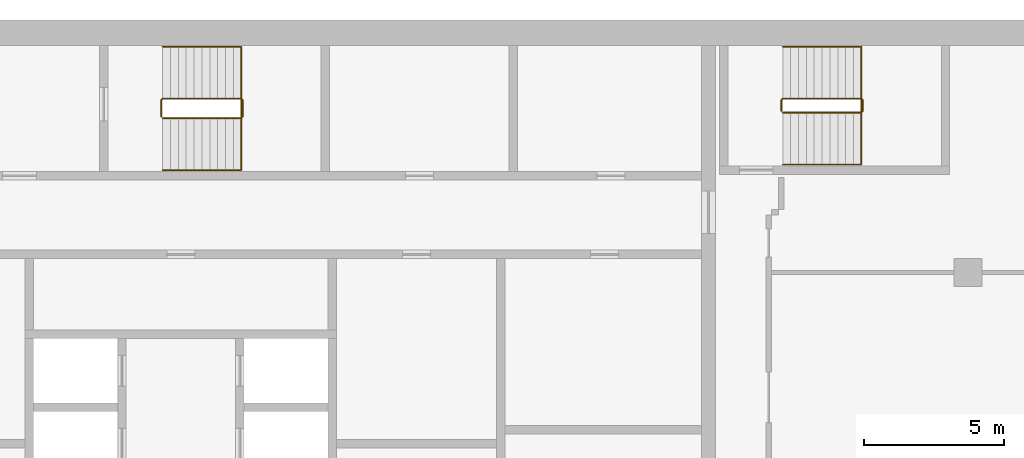
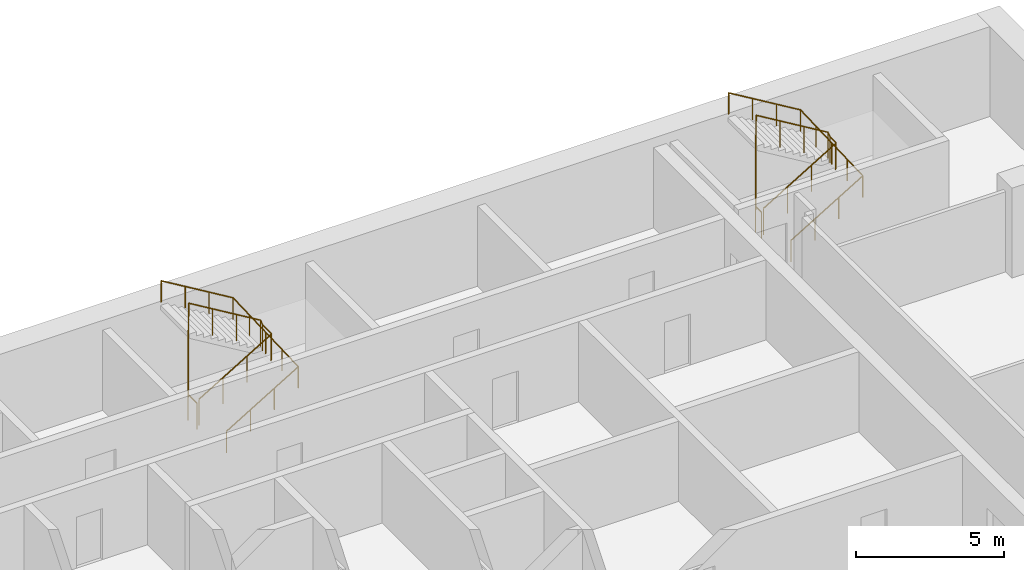
# One storey, part 16 of 16: 4 railings.
"""IFC4 building model written with IfcOpenShell, lengths in metres."""

from ifc_helpers import new_model, si_unit, direction, frame, origin, origin_2d, place, context, subcontext, project, spatial, circle, extrude, material, type_object, element, save


model = new_model("IFC4")

# Units and contexts
model_context = context("Model", 3, precision=1e-05, world=origin(), true_north=direction((0.0, 1.0)))
body_context = subcontext(model_context, "Body", "Model", "MODEL_VIEW")
ifc_project = project(units=[si_unit("LENGTHUNIT", "METRE"), si_unit("AREAUNIT", "SQUARE_METRE"), si_unit("VOLUMEUNIT", "CUBIC_METRE"), si_unit("PLANEANGLEUNIT", "RADIAN"), si_unit("MASSUNIT", "GRAM", prefix="KILO")], contexts=[model_context])

# Site, building, storey
site_placement = place(None, origin())
site = spatial("IfcSite", under=ifc_project, at=site_placement, CompositionType="ELEMENT")
building_placement = place(site_placement, origin())
building = spatial("IfcBuilding", under=site, at=building_placement, Name="Hunhe Ridgeline Campus", CompositionType="ELEMENT")
storey_placement = place(building_placement, frame((0.0, 0.0, 239.199951171875)))
storey = spatial("IfcBuildingStorey", under=building, at=storey_placement, Name="L61", CompositionType="ELEMENT", Elevation=239.199951171875)

# Railings
ifc_material_1 = material(Name="Stainless steel balustrade", Category="steel")
railing_type_1 = type_object("IfcRailingType", Name="Stair guard 1100 stainless", PredefinedType="GUARDRAIL", material=ifc_material_1)
railing_1_placement = place(storey_placement, frame((16.300048828125, 95.5, 0.168212890625)))
element("IfcRailing", 1, at=railing_1_placement, inside=storey, type_object=railing_type_1, Name="L61 stair S1 guard", PredefinedType="GUARDRAIL", context=body_context, shape_type="SweptSolid", body=[
    extrude(circle(Radius=0.02392578125, at=origin_2d()), frame((0.0, 0.0, 1.076171875), z_axis=(0.857242210791, 0.0, 0.514913383045), x_axis=(0.0, 1.0, 0.0)), (0.0, 0.0, 1.0), 3.266357421875),
    extrude(circle(Radius=0.02392578125, at=origin_2d()), frame((2.800048828125, 0.0, 2.7578125), z_axis=(0.705375805398, 0.708833529934, 0.0), x_axis=(-0.708833529934, 0.705375805398, 0.0)), (0.0, 0.0, 1.0), 0.070556640625),
    extrude(circle(Radius=0.02392578125, at=origin_2d()), frame((2.849853515625, 0.050048828125, 2.7578125), z_axis=(0.0, 1.0, 0.0), x_axis=(-1.0, 0.0, 0.0)), (0.0, 0.0, 1.0), 0.599853515625),
    extrude(circle(Radius=0.02392578125, at=origin_2d()), frame((2.849853515625, 0.64990234375, 2.7578125), z_axis=(-0.273006030465, 0.27434429532, 0.922064485248), x_axis=(-0.708833529934, -0.705375805398, 0.0)), (0.0, 0.0, 1.0), 0.182373046875),
    extrude(circle(Radius=0.02392578125, at=origin_2d()), frame((2.800048828125, 0.699951171875, 2.92626953125), z_axis=(-0.857275202839, 0.0, 0.514858452973), x_axis=(0.0, -1.0, 0.0)), (0.0, 0.0, 1.0), 3.26611328125),
    extrude(circle(Radius=0.02392578125, at=origin_2d()), frame((0.0, 0.699951171875, 4.60791015625), z_axis=(-0.013524414389, -0.013524414389, -0.999817073484), x_axis=(0.707106781187, -0.707106781187, 0.0)), (0.0, 0.0, 1.0), 3.70068359375),
    extrude(circle(Radius=0.02392578125, at=origin_2d()), frame((-0.050048828125, 0.64990234375, 0.90771484375), z_axis=(0.0, -1.0, 0.0), x_axis=(1.0, 0.0, 0.0)), (0.0, 0.0, 1.0), 0.599853515625),
    extrude(circle(Radius=0.02099609375, at=origin_2d()), origin(), (0.0, 0.0, 1.0), 1.052001953125),
    extrude(circle(Radius=0.02099609375, at=origin_2d()), frame((0.933349609375, 0.0, 0.560546875)), (0.0, 0.0, 1.0), 1.052001953125),
    extrude(circle(Radius=0.02099609375, at=origin_2d()), frame((1.86669921875, 0.0, 1.121337890625)), (0.0, 0.0, 1.0), 1.052001953125),
    extrude(circle(Radius=0.02099609375, at=origin_2d()), frame((2.800048828125, 0.0, 1.681884765625)), (0.0, 0.0, 1.0), 1.052001953125),
    extrude(circle(Radius=0.02099609375, at=origin_2d()), frame((2.849853515625, 0.050048828125, 1.681884765625)), (0.0, 0.0, 1.0), 1.052001953125),
    extrude(circle(Radius=0.02099609375, at=origin_2d()), frame((2.849853515625, 0.64990234375, 1.681884765625)), (0.0, 0.0, 1.0), 1.052001953125),
    extrude(circle(Radius=0.02099609375, at=origin_2d()), frame((2.800048828125, 0.699951171875, 1.85009765625)), (0.0, 0.0, 1.0), 1.052001953125),
    extrude(circle(Radius=0.02099609375, at=origin_2d()), frame((1.86669921875, 0.699951171875, 2.41064453125)), (0.0, 0.0, 1.0), 1.052001953125),
    extrude(circle(Radius=0.02099609375, at=origin_2d()), frame((0.933349609375, 0.699951171875, 2.97119140625)), (0.0, 0.0, 1.0), 1.052001953125),
    extrude(circle(Radius=0.02099609375, at=origin_2d()), frame((0.0, 0.699951171875, 3.53173828125)), (0.0, 0.0, 1.0), 1.052001953125),
    extrude(circle(Radius=0.02099609375, at=origin_2d()), frame((-0.012451171875, 0.6875, 2.606689453125)), (0.0, 0.0, 1.0), 1.052001953125),
    extrude(circle(Radius=0.02099609375, at=origin_2d()), frame((-0.02490234375, 0.6748046875, 1.681640625)), (0.0, 0.0, 1.0), 1.052001953125),
    extrude(circle(Radius=0.02099609375, at=origin_2d()), frame((-0.03759765625, 0.662353515625, 0.7568359375)), (0.0, 0.0, 1.0), 1.052001953125),
    extrude(circle(Radius=0.02099609375, at=origin_2d()), frame((-0.050048828125, 0.64990234375, -0.168212890625)), (0.0, 0.0, 1.0), 1.052001953125),
    extrude(circle(Radius=0.02099609375, at=origin_2d()), frame((-0.050048828125, 0.050048828125, -0.168212890625)), (0.0, 0.0, 1.0), 1.052001953125),
])
railing_2_placement = place(storey_placement, frame((38.39990234375, 95.699951171875, 0.168212890625)))
element("IfcRailing", 2, at=railing_2_placement, inside=storey, type_object=railing_type_1, Name="L61 stair E1 guard", PredefinedType="GUARDRAIL", context=body_context, shape_type="SweptSolid", body=[
    extrude(circle(Radius=0.02392578125, at=origin_2d()), frame((0.0, 0.0, 1.076171875), z_axis=(0.857242210791, 0.0, 0.514913383045), x_axis=(0.0, 1.0, 0.0)), (0.0, 0.0, 1.0), 3.266357421875),
    extrude(circle(Radius=0.02392578125, at=origin_2d()), frame((2.800048828125, 0.0, 2.7578125), z_axis=(0.707106781187, 0.707106781187, 0.0), x_axis=(-0.707106781187, 0.707106781187, 0.0)), (0.0, 0.0, 1.0), 0.07080078125),
    extrude(circle(Radius=0.02392578125, at=origin_2d()), frame((2.85009765625, 0.050048828125, 2.7578125), z_axis=(0.0, 1.0, 0.0), x_axis=(-1.0, 0.0, 0.0)), (0.0, 0.0, 1.0), 0.39990234375),
    extrude(circle(Radius=0.02392578125, at=origin_2d()), frame((2.85009765625, 0.449951171875, 2.7578125), z_axis=(-0.274243871929, 0.274243871929, 0.92172696468), x_axis=(-0.707106781187, -0.707106781187, 0.0)), (0.0, 0.0, 1.0), 0.1826171875),
    extrude(circle(Radius=0.02392578125, at=origin_2d()), frame((2.800048828125, 0.5, 2.92626953125), z_axis=(-0.857275202839, 0.0, 0.514858452973), x_axis=(0.0, -1.0, 0.0)), (0.0, 0.0, 1.0), 3.26611328125),
    extrude(circle(Radius=0.02392578125, at=origin_2d()), frame((0.0, 0.5, 4.60791015625), z_axis=(-0.013458453615, -0.013524426427, -0.999817963389), x_axis=(0.708833529934, -0.705375805398, 0.0)), (0.0, 0.0, 1.0), 3.70068359375),
    extrude(circle(Radius=0.02392578125, at=origin_2d()), frame((-0.0498046875, 0.449951171875, 0.90771484375), z_axis=(0.0, -1.0, 0.0), x_axis=(1.0, 0.0, 0.0)), (0.0, 0.0, 1.0), 0.39990234375),
    extrude(circle(Radius=0.02099609375, at=origin_2d()), origin(), (0.0, 0.0, 1.0), 1.052001953125),
    extrude(circle(Radius=0.02099609375, at=origin_2d()), frame((0.933349609375, 0.0, 0.560546875)), (0.0, 0.0, 1.0), 1.052001953125),
    extrude(circle(Radius=0.02099609375, at=origin_2d()), frame((1.86669921875, 0.0, 1.121337890625)), (0.0, 0.0, 1.0), 1.052001953125),
    extrude(circle(Radius=0.02099609375, at=origin_2d()), frame((2.800048828125, 0.0, 1.681884765625)), (0.0, 0.0, 1.0), 1.052001953125),
    extrude(circle(Radius=0.02099609375, at=origin_2d()), frame((2.85009765625, 0.050048828125, 1.681884765625)), (0.0, 0.0, 1.0), 1.052001953125),
    extrude(circle(Radius=0.02099609375, at=origin_2d()), frame((2.85009765625, 0.449951171875, 1.681884765625)), (0.0, 0.0, 1.0), 1.052001953125),
    extrude(circle(Radius=0.02099609375, at=origin_2d()), frame((2.800048828125, 0.5, 1.85009765625)), (0.0, 0.0, 1.0), 1.052001953125),
    extrude(circle(Radius=0.02099609375, at=origin_2d()), frame((1.86669921875, 0.5, 2.41064453125)), (0.0, 0.0, 1.0), 1.052001953125),
    extrude(circle(Radius=0.02099609375, at=origin_2d()), frame((0.933349609375, 0.5, 2.97119140625)), (0.0, 0.0, 1.0), 1.052001953125),
    extrude(circle(Radius=0.02099609375, at=origin_2d()), frame((0.0, 0.5, 3.53173828125)), (0.0, 0.0, 1.0), 1.052001953125),
    extrude(circle(Radius=0.02099609375, at=origin_2d()), frame((-0.012451171875, 0.487548828125, 2.606689453125)), (0.0, 0.0, 1.0), 1.052001953125),
    extrude(circle(Radius=0.02099609375, at=origin_2d()), frame((-0.02490234375, 0.47509765625, 1.681640625)), (0.0, 0.0, 1.0), 1.052001953125),
    extrude(circle(Radius=0.02099609375, at=origin_2d()), frame((-0.037353515625, 0.46240234375, 0.7568359375)), (0.0, 0.0, 1.0), 1.052001953125),
    extrude(circle(Radius=0.02099609375, at=origin_2d()), frame((-0.0498046875, 0.449951171875, -0.168212890625)), (0.0, 0.0, 1.0), 1.052001953125),
    extrude(circle(Radius=0.02099609375, at=origin_2d()), frame((-0.0498046875, 0.050048828125, -0.168212890625)), (0.0, 0.0, 1.0), 1.052001953125),
])
ifc_material_2 = material(Name="Stainless steel handrail", Category="steel")
railing_type_2 = type_object("IfcRailingType", Name="Stair handrail 900 stainless", PredefinedType="HANDRAIL", material=ifc_material_2)
railing_3_placement = place(storey_placement, frame((16.300048828125, 93.64990234375, 0.168212890625)))
element("IfcRailing", 3, at=railing_3_placement, inside=storey, type_object=railing_type_2, Name="L61 stair S1 handrail", PredefinedType="HANDRAIL", context=body_context, shape_type="SweptSolid", body=[
    extrude(circle(Radius=0.02392578125, at=origin_2d()), frame((0.0, 0.0, 0.8759765625), z_axis=(0.857242210791, 0.0, 0.514913383045), x_axis=(0.0, 1.0, 0.0)), (0.0, 0.0, 1.0), 3.266357421875),
    extrude(circle(Radius=0.02392578125, at=origin_2d()), frame((2.800048828125, 0.0, 2.5576171875), z_axis=(0.0, 0.999270074432, 0.038201025428), x_axis=(-1.0, 0.0, 0.0)), (0.0, 0.0, 1.0), 4.4033203125),
    extrude(circle(Radius=0.02392578125, at=origin_2d()), frame((2.800048828125, 4.400146484375, 2.72607421875), z_axis=(-0.857275202839, 0.0, 0.514858452973), x_axis=(0.0, -1.0, 0.0)), (0.0, 0.0, 1.0), 3.26611328125),
    extrude(circle(Radius=0.02099609375, at=origin_2d()), origin(), (0.0, 0.0, 1.0), 0.851806640625),
    extrude(circle(Radius=0.02099609375, at=origin_2d()), frame((0.933349609375, 0.0, 0.560546875)), (0.0, 0.0, 1.0), 0.851806640625),
    extrude(circle(Radius=0.02099609375, at=origin_2d()), frame((1.86669921875, 0.0, 1.121337890625)), (0.0, 0.0, 1.0), 0.851806640625),
    extrude(circle(Radius=0.02099609375, at=origin_2d()), frame((2.800048828125, 0.0, 1.681884765625)), (0.0, 0.0, 1.0), 0.851806640625),
    extrude(circle(Radius=0.02099609375, at=origin_2d()), frame((2.800048828125, 1.10009765625, 1.723876953125)), (0.0, 0.0, 1.0), 0.851806640625),
    extrude(circle(Radius=0.02099609375, at=origin_2d()), frame((2.800048828125, 2.2001953125, 1.76611328125)), (0.0, 0.0, 1.0), 0.851806640625),
    extrude(circle(Radius=0.02099609375, at=origin_2d()), frame((2.800048828125, 3.300048828125, 1.80810546875)), (0.0, 0.0, 1.0), 0.851806640625),
    extrude(circle(Radius=0.02099609375, at=origin_2d()), frame((2.800048828125, 4.400146484375, 1.85009765625)), (0.0, 0.0, 1.0), 0.851806640625),
    extrude(circle(Radius=0.02099609375, at=origin_2d()), frame((1.86669921875, 4.400146484375, 2.41064453125)), (0.0, 0.0, 1.0), 0.851806640625),
    extrude(circle(Radius=0.02099609375, at=origin_2d()), frame((0.933349609375, 4.400146484375, 2.97119140625)), (0.0, 0.0, 1.0), 0.851806640625),
    extrude(circle(Radius=0.02099609375, at=origin_2d()), frame((0.0, 4.400146484375, 3.53173828125)), (0.0, 0.0, 1.0), 0.851806640625),
])
railing_4_placement = place(storey_placement, frame((38.39990234375, 93.85009765625, 0.168212890625)))
element("IfcRailing", 4, at=railing_4_placement, inside=storey, type_object=railing_type_2, Name="L61 stair E1 handrail", PredefinedType="HANDRAIL", context=body_context, shape_type="SweptSolid", body=[
    extrude(circle(Radius=0.02392578125, at=origin_2d()), frame((0.0, 0.0, 0.8759765625), z_axis=(0.857242210791, 0.0, 0.514913383045), x_axis=(0.0, 1.0, 0.0)), (0.0, 0.0, 1.0), 3.266357421875),
    extrude(circle(Radius=0.02392578125, at=origin_2d()), frame((2.800048828125, 0.0, 2.5576171875), z_axis=(0.0, 0.999198916169, 0.040019069537), x_axis=(-1.0, 0.0, 0.0)), (0.0, 0.0, 1.0), 4.203369140625),
    extrude(circle(Radius=0.02392578125, at=origin_2d()), frame((2.800048828125, 4.199951171875, 2.72607421875), z_axis=(-0.857275202839, 0.0, 0.514858452973), x_axis=(0.0, -1.0, 0.0)), (0.0, 0.0, 1.0), 3.26611328125),
    extrude(circle(Radius=0.02099609375, at=origin_2d()), origin(), (0.0, 0.0, 1.0), 0.851806640625),
    extrude(circle(Radius=0.02099609375, at=origin_2d()), frame((0.933349609375, 0.0, 0.560546875)), (0.0, 0.0, 1.0), 0.851806640625),
    extrude(circle(Radius=0.02099609375, at=origin_2d()), frame((1.86669921875, 0.0, 1.121337890625)), (0.0, 0.0, 1.0), 0.851806640625),
    extrude(circle(Radius=0.02099609375, at=origin_2d()), frame((2.800048828125, 0.0, 1.681884765625)), (0.0, 0.0, 1.0), 0.851806640625),
    extrude(circle(Radius=0.02099609375, at=origin_2d()), frame((2.800048828125, 1.050048828125, 1.723876953125)), (0.0, 0.0, 1.0), 0.851806640625),
    extrude(circle(Radius=0.02099609375, at=origin_2d()), frame((2.800048828125, 2.10009765625, 1.76611328125)), (0.0, 0.0, 1.0), 0.851806640625),
    extrude(circle(Radius=0.02099609375, at=origin_2d()), frame((2.800048828125, 3.14990234375, 1.80810546875)), (0.0, 0.0, 1.0), 0.851806640625),
    extrude(circle(Radius=0.02099609375, at=origin_2d()), frame((2.800048828125, 4.199951171875, 1.85009765625)), (0.0, 0.0, 1.0), 0.851806640625),
    extrude(circle(Radius=0.02099609375, at=origin_2d()), frame((1.86669921875, 4.199951171875, 2.41064453125)), (0.0, 0.0, 1.0), 0.851806640625),
    extrude(circle(Radius=0.02099609375, at=origin_2d()), frame((0.933349609375, 4.199951171875, 2.97119140625)), (0.0, 0.0, 1.0), 0.851806640625),
    extrude(circle(Radius=0.02099609375, at=origin_2d()), frame((0.0, 4.199951171875, 3.53173828125)), (0.0, 0.0, 1.0), 0.851806640625),
])

save(model, "model.ifc")
